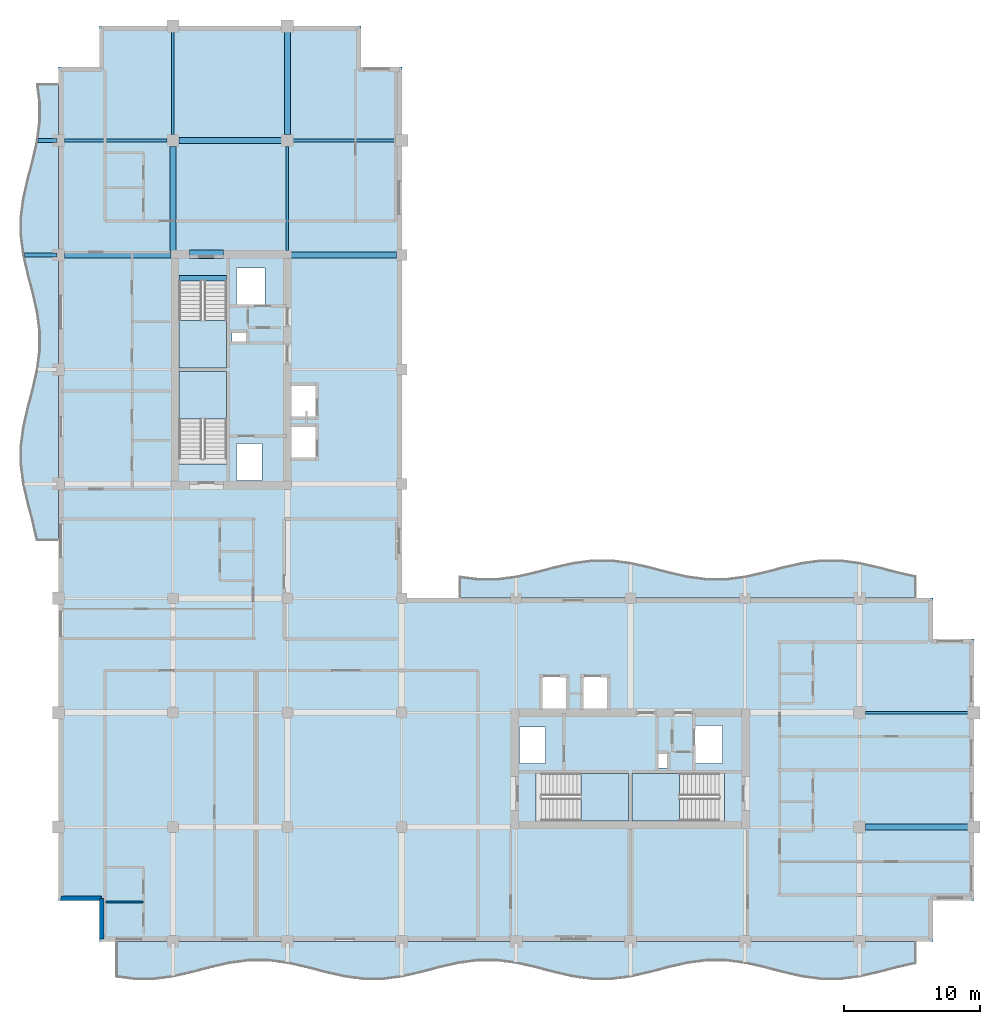
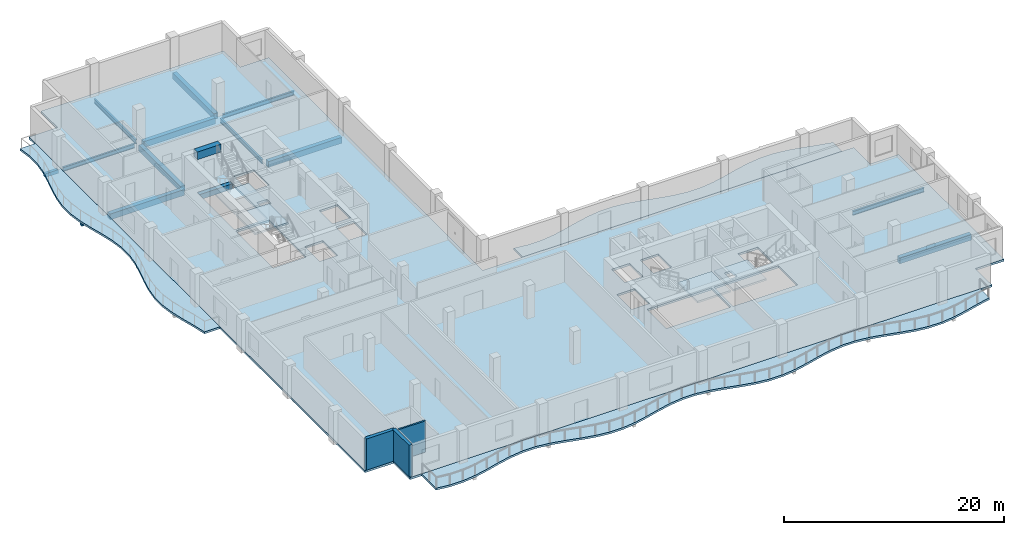
# One storey, part 2 of 12: 15 beams, 8 slabs, 3 walls, 4 elements without a shape of their own.
"""IFC4 building model written with IfcOpenShell, lengths in metres."""

from ifc_helpers import new_model, si_unit, direction, frame, frame_2d, origin, origin_2d, place, context, subcontext, project, spatial, polyline, rectangle, i_section, outline, extrude, material, layer, layer_set, material_profile, profile_set, type_object, element, aggregate, save


model = new_model("IFC4")

# Units and contexts
model_context = context("Model", 3, precision=1e-05, world=origin(), true_north=direction((0.0, 1.0)))
body_context = subcontext(model_context, "Body", "Model", "MODEL_VIEW")
ifc_project = project(units=[si_unit("LENGTHUNIT", "METRE"), si_unit("AREAUNIT", "SQUARE_METRE"), si_unit("VOLUMEUNIT", "CUBIC_METRE"), si_unit("PLANEANGLEUNIT", "RADIAN"), si_unit("MASSUNIT", "GRAM", prefix="KILO")], contexts=[model_context])

# Site, building, storey
site_placement = place(None, origin())
site = spatial("IfcSite", under=ifc_project, at=site_placement, CompositionType="ELEMENT")
building_placement = place(site_placement, origin())
building = spatial("IfcBuilding", under=site, at=building_placement, Name="Koriwani Terraces Tower", CompositionType="ELEMENT")
storey_placement = place(building_placement, frame((0.0, 0.0, 271.199951171875)))
storey = spatial("IfcBuildingStorey", under=building, at=storey_placement, Name="L67", CompositionType="ELEMENT", Elevation=271.199951171875)

# Beams
ifc_material_1 = material(Name="Concrete C40/50", Category="concrete")
ifc_material_profile_1 = material_profile(ifc_material_1, rectangle(XDim=0.300048828125, YDim=0.39990234375, at=origin_2d()), Name="Concrete C40/50", Category="LoadBearing")
ifc_profile_set_1 = profile_set([ifc_material_profile_1], Name="Concrete C40/50")
beam_type_1 = type_object("IfcBeamType", Name="BEAM_RC_BALCONY_RIB_300X400", PredefinedType="JOIST", material=ifc_profile_set_1)
beam_1_placement = place(storey_placement, frame((5.907958984375, 58.800048828125, -0.429931640625), z_axis=(1.0, 0.0, 0.0), x_axis=(0.0, 1.0, 0.0)))
element("IfcBeam", 1, at=beam_1_placement, inside=storey, type_object=beam_type_1, Name="L67 Balcony Bracket Rib W-3", PredefinedType="JOIST", context=body_context, shape_type="SweptSolid", body=[
    extrude(rectangle(XDim=0.300048828125, YDim=0.39990234375, at=origin_2d()), origin(), (0.0, 0.0, 1.0), 2.39208984375),
])
beam_2_placement = place(storey_placement, frame((6.912109375, 67.199951171875, -0.429931640625), z_axis=(1.0, 0.0, 0.0), x_axis=(0.0, 1.0, 0.0)))
element("IfcBeam", 2, at=beam_2_placement, inside=storey, type_object=beam_type_1, Name="L67 Balcony Bracket Rib W-4", PredefinedType="JOIST", context=body_context, shape_type="SweptSolid", body=[
    extrude(rectangle(XDim=0.300048828125, YDim=0.39990234375, at=origin_2d()), origin(), (0.0, 0.0, 1.0), 1.387939453125),
])
ifc_material_2 = material(Name="Concrete C50/60", Category="concrete")
ifc_material_profile_2 = material_profile(ifc_material_2, rectangle(XDim=0.60009765625, YDim=0.85009765625, at=origin_2d()), Name="Concrete C50/60", Category="LoadBearing")
ifc_profile_set_2 = profile_set([ifc_material_profile_2], Name="Concrete C50/60")
beam_type_2 = type_object("IfcBeamType", Name="BEAM_RC_COUPLING_600X850", PredefinedType="LINTEL", material=ifc_profile_set_2)
beam_3_placement = place(storey_placement, frame((18.0, 58.85009765625, 3.045166015625), z_axis=(1.0, 0.0, 0.0), x_axis=(0.0, 1.0, 0.0)))
element("IfcBeam", 3, at=beam_3_placement, inside=storey, type_object=beam_type_2, Name="L67 Core Coupling Lintel Beam WN", PredefinedType="LINTEL", context=body_context, shape_type="SweptSolid", body=[
    extrude(rectangle(XDim=0.60009765625, YDim=0.85009765625, at=origin_2d()), origin(), (0.0, 0.0, 1.0), 2.5),
])
ifc_material_profile_3 = material_profile(ifc_material_1, rectangle(XDim=0.39990234375, YDim=0.60009765625, at=origin_2d()), Name="Concrete C40/50", Category="LoadBearing")
ifc_profile_set_3 = profile_set([ifc_material_profile_3], Name="Concrete C40/50")
beam_type_3 = type_object("IfcBeamType", Name="BEAM_RC_GRID_400X600", PredefinedType="BEAM", material=ifc_profile_set_3)
beam_4_placement = place(storey_placement, frame((17.25, 57.094970703125, -0.300048828125), z_axis=(1.0, 0.0, 0.0), x_axis=(0.0, 1.0, 0.0)))
element("IfcBeam", 4, at=beam_4_placement, inside=storey, type_object=beam_type_3, Name="L67 Stairwell Header Trimmer Beam ST-W2", PredefinedType="BEAM", context=body_context, shape_type="SweptSolid", body=[
    extrude(rectangle(XDim=0.39990234375, YDim=0.60009765625, at=origin_2d()), origin(), (0.0, 0.0, 1.0), 3.5),
])
ifc_material_profile_4 = material_profile(ifc_material_2, rectangle(XDim=0.449951171875, YDim=0.64990234375, at=origin_2d()), Name="Concrete C50/60", Category="LoadBearing")
ifc_profile_set_4 = profile_set([ifc_material_profile_4], Name="Concrete C50/60")
beam_type_4 = type_object("IfcBeamType", Name="BEAM_RC_GRID_450X650", PredefinedType="BEAM", material=ifc_profile_set_4)
beam_5_placement = place(storey_placement, frame((67.6298828125, 16.800048828125, -0.554931640625), z_axis=(1.0, 0.0, 0.0), x_axis=(0.0, 1.0, 0.0)))
element("IfcBeam", 5, at=beam_5_placement, inside=storey, type_object=beam_type_4, Name="L67 Grid Beam C (67.2-75.6m)", PredefinedType="BEAM", context=body_context, shape_type="SweptSolid", body=[
    extrude(rectangle(XDim=0.449951171875, YDim=0.64990234375, at=origin_2d()), origin(), (0.0, 0.0, 1.0), 7.5400390625),
])
beam_6_placement = place(storey_placement, frame((8.830078125, 58.800048828125, -0.554931640625), z_axis=(1.0, 0.0, 0.0), x_axis=(0.0, 1.0, 0.0)))
element("IfcBeam", 6, at=beam_6_placement, inside=storey, type_object=beam_type_4, Name="L67 Grid Beam H (8.4-16.8m)", PredefinedType="BEAM", context=body_context, shape_type="SweptSolid", body=[
    extrude(rectangle(XDim=0.449951171875, YDim=0.64990234375, at=origin_2d()), origin(), (0.0, 0.0, 1.0), 7.83984375),
])
beam_7_placement = place(storey_placement, frame((25.47998046875, 58.800048828125, -0.554931640625), z_axis=(1.0, 0.0, 0.0), x_axis=(0.0, 1.0, 0.0)))
element("IfcBeam", 7, at=beam_7_placement, inside=storey, type_object=beam_type_4, Name="L67 Grid Beam H (25.2-33.6m)", PredefinedType="BEAM", context=body_context, shape_type="SweptSolid", body=[
    extrude(rectangle(XDim=0.449951171875, YDim=0.64990234375, at=origin_2d()), origin(), (0.0, 0.0, 1.0), 7.739990234375),
])
beam_8_placement = place(storey_placement, frame((17.22998046875, 67.199951171875, -0.554931640625), z_axis=(1.0, 0.0, 0.0), x_axis=(0.0, 1.0, 0.0)))
element("IfcBeam", 8, at=beam_8_placement, inside=storey, type_object=beam_type_4, Name="L67 Grid Beam I (16.8-25.2m)", PredefinedType="BEAM", context=body_context, shape_type="SweptSolid", body=[
    extrude(rectangle(XDim=0.449951171875, YDim=0.64990234375, at=origin_2d()), origin(), (0.0, 0.0, 1.0), 7.5400390625),
])
beam_9_placement = place(storey_placement, frame((16.800048828125, 59.1298828125, -0.554931640625), z_axis=(0.0, 1.0, 0.0), x_axis=(-1.0, 0.0, 0.0)))
element("IfcBeam", 9, at=beam_9_placement, inside=storey, type_object=beam_type_4, Name="L67 Grid Beam 3 (58.8-67.2m)", PredefinedType="BEAM", context=body_context, shape_type="SweptSolid", body=[
    extrude(rectangle(XDim=0.449951171875, YDim=0.64990234375, at=origin_2d()), origin(), (0.0, 0.0, 1.0), 7.64013671875),
])
beam_10_placement = place(storey_placement, frame((25.199951171875, 67.6298828125, -0.554931640625), z_axis=(0.0, 1.0, 0.0), x_axis=(-1.0, 0.0, 0.0)))
element("IfcBeam", 10, at=beam_10_placement, inside=storey, type_object=beam_type_4, Name="L67 Grid Beam 4 (67.2-75.6m)", PredefinedType="BEAM", context=body_context, shape_type="SweptSolid", body=[
    extrude(rectangle(XDim=0.449951171875, YDim=0.64990234375, at=origin_2d()), origin(), (0.0, 0.0, 1.0), 7.5400390625),
])
ifc_material_3 = material(Name="Steel ASTM A572 Grade 50", Category="steel")
ifc_material_profile_5 = material_profile(ifc_material_3, i_section(OverallWidth=0.19189453125, OverallDepth=0.462890625, WebThickness=0.010498046875, FlangeThickness=0.01611328125, at=origin_2d()), Name="Steel ASTM A572 Grade 50", Category="LoadBearing")
ifc_profile_set_5 = profile_set([ifc_material_profile_5], Name="Steel ASTM A572 Grade 50")
beam_type_5 = type_object("IfcBeamType", Name="STEEL_BEAM_W460X89", PredefinedType="BEAM", material=ifc_profile_set_5)
for number, where, z_axis, x_axis, name in (
    (11, (67.6298828125, 25.199951171875, -0.46142578125), (1.0, 0.0, 0.0), (0.0, 1.0, 0.0), "L67 Grid Beam D (67.2-75.6m)"),
    (12, (8.830078125, 67.199951171875, -0.46142578125), (1.0, 0.0, 0.0), (0.0, 1.0, 0.0), "L67 Grid Beam I (8.4-16.8m)"),
    (13, (25.6298828125, 67.199951171875, -0.46142578125), (1.0, 0.0, 0.0), (0.0, 1.0, 0.0), "L67 Grid Beam I (25.2-33.6m)"),
    (14, (16.800048828125, 67.6298828125, -0.46142578125), (0.0, 1.0, 0.0), (-1.0, 0.0, 0.0), "L67 Grid Beam 3 (67.2-75.6m)"),
):
    element("IfcBeam", number, at=place(storey_placement, frame(where, z_axis=z_axis, x_axis=x_axis)), inside=storey, type_object=beam_type_5, Name=name, PredefinedType="BEAM", context=body_context, shape_type="SweptSolid", body=[
        extrude(i_section(OverallWidth=0.19189453125, OverallDepth=0.462890625, WebThickness=0.010498046875, FlangeThickness=0.01611328125, at=origin_2d()), origin(), (0.0, 0.0, 1.0), 7.5400390625),
    ])
beam_11_placement = place(storey_placement, frame((25.199951171875, 59.1298828125, -0.46142578125), z_axis=(0.0, 1.0, 0.0), x_axis=(-1.0, 0.0, 0.0)))
element("IfcBeam", 15, at=beam_11_placement, inside=storey, type_object=beam_type_5, Name="L67 Grid Beam 4 (58.8-67.2m)", PredefinedType="BEAM", context=body_context, shape_type="SweptSolid", body=[
    extrude(i_section(OverallWidth=0.19189453125, OverallDepth=0.462890625, WebThickness=0.010498046875, FlangeThickness=0.01611328125, at=origin_2d()), origin(), (0.0, 0.0, 1.0), 7.64013671875),
])

# Slabs
ifc_layer_1 = layer(ifc_material_1, 0.219970703125, Name="Concrete C40/50")
ifc_layer_set_1 = layer_set([ifc_layer_1], Name="Concrete C40/50")
slab_type_1 = type_object("IfcSlabType", Name="SLAB_BALCONY_220", PredefinedType="FLOOR", material=ifc_layer_set_1)
slab_1_placement = place(storey_placement, frame((0.0, 0.0, -0.219970703125)))
element("IfcSlab", 16, at=slab_1_placement, inside=storey, type_object=slab_type_1, Name="L67 Quilted Circular-Arc Balcony (S)", PredefinedType="FLOOR", context=body_context, shape_type="SweptSolid", body=[
    extrude(outline(polyline([(12.60009765625, 8.39990234375), (14.0, 8.39990234375), (15.39990234375, 8.39990234375), (16.800048828125, 8.39990234375), (18.199951171875, 8.39990234375), (19.60009765625, 8.39990234375), (21.0, 8.39990234375), (22.39990234375, 8.39990234375), (23.800048828125, 8.39990234375), (25.199951171875, 8.39990234375), (26.60009765625, 8.39990234375), (28.0, 8.39990234375), (29.39990234375, 8.39990234375), (30.800048828125, 8.39990234375), (32.199951171875, 8.39990234375), (33.60009765625, 8.39990234375), (35.0, 8.39990234375), (36.39990234375, 8.39990234375), (37.800048828125, 8.39990234375), (39.199951171875, 8.39990234375), (40.60009765625, 8.39990234375), (42.0, 8.39990234375), (43.39990234375, 8.39990234375), (44.800048828125, 8.39990234375), (46.199951171875, 8.39990234375), (47.60009765625, 8.39990234375), (49.0, 8.39990234375), (50.39990234375, 8.39990234375), (51.800048828125, 8.39990234375), (53.199951171875, 8.39990234375), (54.60009765625, 8.39990234375), (56.0, 8.39990234375), (57.39990234375, 8.39990234375), (58.800048828125, 8.39990234375), (60.199951171875, 8.39990234375), (61.60009765625, 8.39990234375), (63.0, 8.39990234375), (64.39990234375, 8.39990234375), (65.800048828125, 8.39990234375), (67.199951171875, 8.39990234375), (68.60009765625, 8.39990234375), (70.0, 8.39990234375), (71.39990234375, 8.39990234375), (71.39990234375, 6.761962890625), (70.0, 6.44384765625), (68.60009765625, 6.076171875), (67.199951171875, 5.758056640625), (65.800048828125, 5.57421875), (64.39990234375, 5.57421875), (63.0, 5.758056640625), (61.60009765625, 6.076171875), (60.199951171875, 6.44384765625), (58.800048828125, 6.761962890625), (57.39990234375, 6.94580078125), (56.0, 6.94580078125), (54.60009765625, 6.761962890625), (53.199951171875, 6.44384765625), (51.800048828125, 6.076171875), (50.39990234375, 5.758056640625), (49.0, 5.57421875), (47.60009765625, 5.57421875), (46.199951171875, 5.758056640625), (44.800048828125, 6.076171875), (43.39990234375, 6.44384765625), (42.0, 6.761962890625), (40.60009765625, 6.94580078125), (39.199951171875, 6.94580078125), (37.800048828125, 6.761962890625), (36.39990234375, 6.44384765625), (35.0, 6.076171875), (33.60009765625, 5.758056640625), (32.199951171875, 5.57421875), (30.800048828125, 5.57421875), (29.39990234375, 5.758056640625), (28.0, 6.076171875), (26.60009765625, 6.44384765625), (25.199951171875, 6.761962890625), (23.800048828125, 6.94580078125), (22.39990234375, 6.94580078125), (21.0, 6.761962890625), (19.60009765625, 6.44384765625), (18.199951171875, 6.076171875), (16.800048828125, 5.758056640625), (15.39990234375, 5.57421875), (14.0, 5.57421875), (12.60009765625, 5.758056640625), (12.60009765625, 8.39990234375)])), origin(), (0.0, 0.0, 1.0), 0.219970703125),
])
slab_2_placement = place(storey_placement, frame((0.0, 0.0, -0.219970703125)))
element("IfcSlab", 17, at=slab_2_placement, inside=storey, type_object=slab_type_1, Name="L67 Quilted Circular-Arc Balcony (W)", PredefinedType="FLOOR", context=body_context, shape_type="SweptSolid", body=[
    extrude(outline(polyline([(8.39990234375, 37.800048828125), (8.39990234375, 39.199951171875), (8.39990234375, 40.60009765625), (8.39990234375, 42.0), (8.39990234375, 43.39990234375), (8.39990234375, 44.800048828125), (8.39990234375, 46.199951171875), (8.39990234375, 47.60009765625), (8.39990234375, 49.0), (8.39990234375, 50.39990234375), (8.39990234375, 51.800048828125), (8.39990234375, 53.199951171875), (8.39990234375, 54.60009765625), (8.39990234375, 56.0), (8.39990234375, 57.39990234375), (8.39990234375, 58.800048828125), (8.39990234375, 60.199951171875), (8.39990234375, 61.60009765625), (8.39990234375, 63.0), (8.39990234375, 64.39990234375), (8.39990234375, 65.800048828125), (8.39990234375, 67.199951171875), (8.39990234375, 68.60009765625), (8.39990234375, 70.0), (8.39990234375, 71.39990234375), (6.761962890625, 71.39990234375), (6.94580078125, 70.0), (6.94580078125, 68.60009765625), (6.761962890625, 67.199951171875), (6.44384765625, 65.800048828125), (6.076171875, 64.39990234375), (5.758056640625, 63.0), (5.57421875, 61.60009765625), (5.57421875, 60.199951171875), (5.758056640625, 58.800048828125), (6.076171875, 57.39990234375), (6.44384765625, 56.0), (6.761962890625, 54.60009765625), (6.94580078125, 53.199951171875), (6.94580078125, 51.800048828125), (6.761962890625, 50.39990234375), (6.44384765625, 49.0), (6.076171875, 47.60009765625), (5.758056640625, 46.199951171875), (5.57421875, 44.800048828125), (5.57421875, 43.39990234375), (5.758056640625, 42.0), (6.076171875, 40.60009765625), (6.44384765625, 39.199951171875), (6.761962890625, 37.800048828125), (8.39990234375, 37.800048828125)])), origin(), (0.0, 0.0, 1.0), 0.219970703125),
])
slab_3_placement = place(storey_placement, frame((0.0, 0.0, -0.219970703125)))
element("IfcSlab", 18, at=slab_3_placement, inside=storey, type_object=slab_type_1, Name="L67 Quilted Circular-Arc Balcony (NE)", PredefinedType="FLOOR", context=body_context, shape_type="SweptSolid", body=[
    extrude(outline(polyline([(71.39990234375, 33.60009765625), (70.0, 33.60009765625), (68.60009765625, 33.60009765625), (67.199951171875, 33.60009765625), (65.800048828125, 33.60009765625), (64.39990234375, 33.60009765625), (63.0, 33.60009765625), (61.60009765625, 33.60009765625), (60.199951171875, 33.60009765625), (58.800048828125, 33.60009765625), (57.39990234375, 33.60009765625), (56.0, 33.60009765625), (54.60009765625, 33.60009765625), (53.199951171875, 33.60009765625), (51.800048828125, 33.60009765625), (50.39990234375, 33.60009765625), (49.0, 33.60009765625), (47.60009765625, 33.60009765625), (46.199951171875, 33.60009765625), (44.800048828125, 33.60009765625), (43.39990234375, 33.60009765625), (42.0, 33.60009765625), (40.60009765625, 33.60009765625), (39.199951171875, 33.60009765625), (37.800048828125, 33.60009765625), (37.800048828125, 35.238037109375), (39.199951171875, 35.05419921875), (40.60009765625, 35.05419921875), (42.0, 35.238037109375), (43.39990234375, 35.55615234375), (44.800048828125, 35.923828125), (46.199951171875, 36.241943359375), (47.60009765625, 36.42578125), (49.0, 36.42578125), (50.39990234375, 36.241943359375), (51.800048828125, 35.923828125), (53.199951171875, 35.55615234375), (54.60009765625, 35.238037109375), (56.0, 35.05419921875), (57.39990234375, 35.05419921875), (58.800048828125, 35.238037109375), (60.199951171875, 35.55615234375), (61.60009765625, 35.923828125), (63.0, 36.241943359375), (64.39990234375, 36.42578125), (65.800048828125, 36.42578125), (67.199951171875, 36.241943359375), (68.60009765625, 35.923828125), (70.0, 35.55615234375), (71.39990234375, 35.238037109375), (71.39990234375, 33.60009765625)])), origin(), (0.0, 0.0, 1.0), 0.219970703125),
])
ifc_layer_2 = layer(ifc_material_1, 0.22998046875, Name="Concrete C40/50")
ifc_layer_set_2 = layer_set([ifc_layer_2], Name="Concrete C40/50")
slab_type_2 = type_object("IfcSlabType", Name="SLAB_RES_TYP_230", PredefinedType="FLOOR", material=ifc_layer_set_2)
slab_4_placement = place(storey_placement, frame((0.0, 0.0, -0.22998046875)))
element("IfcSlab", 19, at=slab_4_placement, inside=storey, type_object=slab_type_2, Name="L67 Structural Floor Slab", PredefinedType="FLOOR", context=body_context, shape_type="SweptSolid", body=[
    extrude(outline(polyline([(11.39990234375, 8.39990234375), (72.60009765625, 8.39990234375), (72.60009765625, 11.39990234375), (75.60009765625, 11.39990234375), (75.60009765625, 30.60009765625), (72.60009765625, 30.60009765625), (72.60009765625, 33.60009765625), (33.60009765625, 33.60009765625), (33.60009765625, 72.60009765625), (30.60009765625, 72.60009765625), (30.60009765625, 75.60009765625), (11.39990234375, 75.60009765625), (11.39990234375, 72.60009765625), (8.39990234375, 72.60009765625), (8.39990234375, 11.39990234375), (11.39990234375, 11.39990234375), (11.39990234375, 8.39990234375)]), holes=[polyline([(17.25, 43.4599609375), (20.75, 43.4599609375), (20.75, 50.25), (17.25, 50.25), (17.25, 43.4599609375)]), polyline([(17.25, 50.5), (20.75, 50.5), (20.75, 57.2900390625), (17.25, 57.2900390625), (17.25, 50.5)]), polyline([(43.4599609375, 17.25), (50.25, 17.25), (50.25, 20.75), (43.4599609375, 20.75), (43.4599609375, 17.25)]), polyline([(50.5, 17.25), (57.2900390625, 17.25), (57.2900390625, 20.75), (50.5, 20.75), (50.5, 17.25)]), polyline([(25.449951171875, 43.85009765625), (27.35009765625, 43.85009765625), (27.35009765625, 46.25), (25.449951171875, 46.25), (25.449951171875, 43.85009765625)]), polyline([(25.449951171875, 46.85009765625), (27.35009765625, 46.85009765625), (27.35009765625, 49.25), (25.449951171875, 49.25), (25.449951171875, 46.85009765625)]), polyline([(43.85009765625, 25.449951171875), (45.75, 25.449951171875), (45.75, 27.85009765625), (43.85009765625, 27.85009765625), (43.85009765625, 25.449951171875)]), polyline([(46.85009765625, 25.449951171875), (48.75, 25.449951171875), (48.75, 27.85009765625), (46.85009765625, 27.85009765625), (46.85009765625, 25.449951171875)]), polyline([(21.449951171875, 55.050048828125), (23.550048828125, 55.050048828125), (23.550048828125, 57.85009765625), (21.449951171875, 57.85009765625), (21.449951171875, 55.050048828125)]), polyline([(55.050048828125, 21.449951171875), (57.14990234375, 21.449951171875), (57.14990234375, 24.25), (55.050048828125, 24.25), (55.050048828125, 21.449951171875)]), polyline([(21.449951171875, 42.25), (23.35009765625, 42.25), (23.35009765625, 44.949951171875), (21.449951171875, 44.949951171875), (21.449951171875, 42.25)]), polyline([(42.25, 21.449951171875), (44.14990234375, 21.449951171875), (44.14990234375, 24.14990234375), (42.25, 24.14990234375), (42.25, 21.449951171875)]), polyline([(21.14990234375, 52.419921875), (22.219970703125, 52.419921875), (22.219970703125, 53.179931640625), (21.14990234375, 53.179931640625), (21.14990234375, 52.419921875)]), polyline([(52.419921875, 21.14990234375), (53.179931640625, 21.14990234375), (53.179931640625, 22.219970703125), (52.419921875, 22.219970703125), (52.419921875, 21.14990234375)])]), origin(), (0.0, 0.0, 1.0), 0.22998046875),
])

# Stair, slab
stair_type = type_object("IfcStairType", Name="STAIR_CORE_DOGLEG_1650", PredefinedType="TWO_STRAIGHT_RUN_STAIR", material=ifc_material_1)
stair_1_placement = place(storey_placement, origin())
stair_1 = element("IfcStair", 20, at=stair_1_placement, inside=storey, type_object=stair_type, Name="L67 West Core Exit Stair 1", PredefinedType="HALF_TURN_STAIR")
ifc_layer_3 = layer(ifc_material_1, 0.199951171875, Name="Concrete C40/50")
ifc_layer_set_3 = layer_set([ifc_layer_3], Name="Concrete C40/50")
slab_type_3 = type_object("IfcSlabType", Name="SLAB_STAIR_LANDING_200", PredefinedType="LANDING", material=ifc_layer_set_3)
slab_5_placement = place(storey_placement, frame((0.0, 0.0, 1.650146484375)))
slab_5 = element("IfcSlab", 21, at=slab_5_placement, type_object=slab_type_3, Name="ST-W1 landing 1", PredefinedType="LANDING", context=body_context, shape_type="SweptSolid", body=[
    extrude(outline(polyline([(20.75, 46.75), (20.75, 50.25), (17.25, 50.25), (17.25, 46.75), (20.75, 46.75)])), origin(), (0.0, 0.0, 1.0), 0.199951171875),
])
aggregate(stair_1, [slab_5])

stair_2_placement = place(storey_placement, origin())
stair_2 = element("IfcStair", 22, at=stair_2_placement, inside=storey, type_object=stair_type, Name="L67 West Core Exit Stair 2", PredefinedType="HALF_TURN_STAIR")
slab_6_placement = place(storey_placement, frame((0.0, 0.0, 1.650146484375)))
slab_6 = element("IfcSlab", 23, at=slab_6_placement, type_object=slab_type_3, Name="ST-W2 landing 1", PredefinedType="LANDING", context=body_context, shape_type="SweptSolid", body=[
    extrude(outline(polyline([(17.25, 54.0), (17.25, 50.5), (20.75, 50.5), (20.75, 54.0), (17.25, 54.0)])), origin(), (0.0, 0.0, 1.0), 0.199951171875),
])
aggregate(stair_2, [slab_6])

stair_3_placement = place(storey_placement, origin())
stair_3 = element("IfcStair", 24, at=stair_3_placement, inside=storey, type_object=stair_type, Name="L67 East Core Exit Stair 1", PredefinedType="HALF_TURN_STAIR")
slab_7_placement = place(storey_placement, frame((0.0, 0.0, 1.650146484375)))
slab_7 = element("IfcSlab", 25, at=slab_7_placement, type_object=slab_type_3, Name="ST-E1 landing 1", PredefinedType="LANDING", context=body_context, shape_type="SweptSolid", body=[
    extrude(outline(polyline([(46.75, 17.25), (50.25, 17.25), (50.25, 20.75), (46.75, 20.75), (46.75, 17.25)])), origin(), (0.0, 0.0, 1.0), 0.199951171875),
])
aggregate(stair_3, [slab_7])

stair_4_placement = place(storey_placement, origin())
stair_4 = element("IfcStair", 26, at=stair_4_placement, inside=storey, type_object=stair_type, Name="L67 East Core Exit Stair 2", PredefinedType="HALF_TURN_STAIR")
slab_8_placement = place(storey_placement, frame((0.0, 0.0, 1.650146484375)))
slab_8 = element("IfcSlab", 27, at=slab_8_placement, type_object=slab_type_3, Name="ST-E2 landing 1", PredefinedType="LANDING", context=body_context, shape_type="SweptSolid", body=[
    extrude(outline(polyline([(54.0, 20.75), (50.5, 20.75), (50.5, 17.25), (54.0, 17.25), (54.0, 20.75)])), origin(), (0.0, 0.0, 1.0), 0.199951171875),
])
aggregate(stair_4, [slab_8])

# Walls
ifc_layer_4 = layer(ifc_material_2, 0.35009765625, Name="Concrete C50/60")
ifc_layer_set_4 = layer_set([ifc_layer_4], Name="Concrete C50/60")
wall_type_1 = type_object("IfcWallType", Name="WALL_EXT_BRUTALIST_350", PredefinedType="STANDARD", material=ifc_layer_set_4)
for number, where, z_axis, x_axis, name in (
    (28, (11.574951171875, 8.574951171875, 0.0), (0.0, 0.0, 1.0), (0.0, 1.0, 0.0), "L67 Fair-Faced Brutalist Exterior Wall (N0)"),
    (29, (11.574951171875, 11.574951171875, 0.0), (0.0, 0.0, 1.0), (-1.0, 0.0, 0.0), "L67 Fair-Faced Brutalist Exterior Wall (N1)"),
):
    element("IfcWall", number, at=place(storey_placement, frame(where, z_axis=z_axis, x_axis=x_axis)), inside=storey, type_object=wall_type_1, Name=name, PredefinedType="STANDARD", context=body_context, shape_type="SweptSolid", body=[
        extrude(rectangle(XDim=3.0, YDim=0.35009765625, at=frame_2d((1.5, 0.0))), origin(), (0.0, 0.0, 1.0), 3.469970703125),
    ])
ifc_material_4 = material(Name="Fire-Rated Acoustic Gypsum Partition", Category="masonry")
ifc_layer_5 = layer(ifc_material_4, 0.179931640625, Name="Fire-Rated Acoustic Gypsum Partition")
ifc_layer_set_5 = layer_set([ifc_layer_5], Name="Fire-Rated Acoustic Gypsum Partition")
wall_type_2 = type_object("IfcWallType", Name="WALL_PLUMBING_180", PredefinedType="PLUMBINGWALL", material=ifc_layer_set_5)
wall_placement = place(storey_placement, frame((11.85009765625, 11.300048828125, 0.0), z_axis=(0.0, 0.0, 1.0), x_axis=(1.0, 0.0, 0.0)))
element("IfcWall", 30, at=wall_placement, inside=storey, type_object=wall_type_2, Name="L67 Interior Wall WGB-L67-SPINE-SVM", PredefinedType="PLUMBINGWALL", context=body_context, shape_type="SweptSolid", body=[
    extrude(rectangle(XDim=2.7998046875, YDim=0.179931640625, at=frame_2d((1.39990234375, 0.0))), origin(), (0.0, 0.0, 1.0), 3.469970703125),
])

save(model, "model.ifc")
